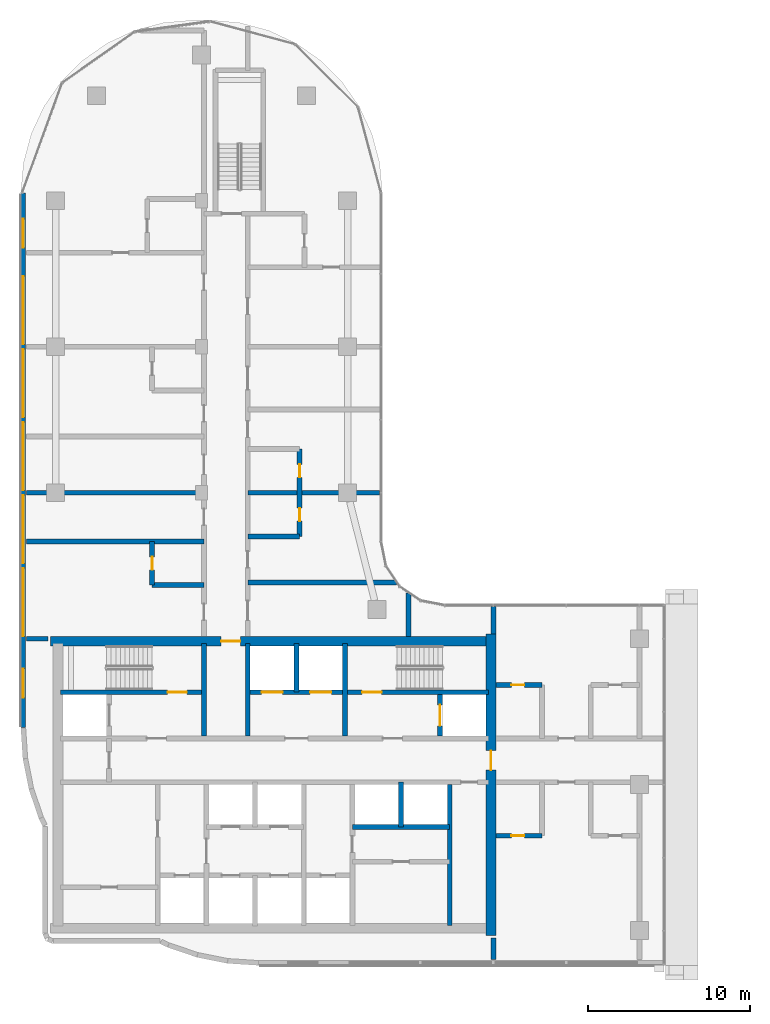
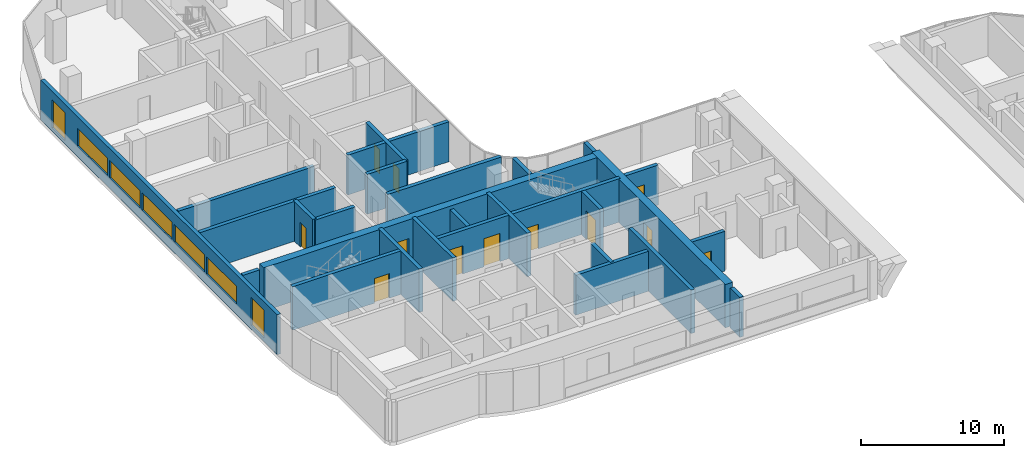
# One storey, part 11 of 23: 27 walls, 12 doors, 7 windows, 19 openings.
"""IFC4 building model written with IfcOpenShell, lengths in metres."""

from ifc_helpers import new_model, si_unit, direction, frame, frame_2d, origin, place, context, subcontext, project, spatial, rectangle, extrude, material, layer, layer_set, type_object, element, fill, save


model = new_model("IFC4")

# Units and contexts
model_context = context("Model", 3, precision=1e-05, world=origin(), true_north=direction((0.0, 1.0)))
body_context = subcontext(model_context, "Body", "Model", "MODEL_VIEW")
ifc_project = project(units=[si_unit("LENGTHUNIT", "METRE"), si_unit("AREAUNIT", "SQUARE_METRE"), si_unit("VOLUMEUNIT", "CUBIC_METRE"), si_unit("PLANEANGLEUNIT", "RADIAN"), si_unit("MASSUNIT", "GRAM", prefix="KILO")], contexts=[model_context])

# Site, building, storey
site_placement = place(None, origin())
site = spatial("IfcSite", under=ifc_project, at=site_placement, CompositionType="ELEMENT")
building_placement = place(site_placement, origin())
building = spatial("IfcBuilding", under=site, at=building_placement, Name="Ogive Portal Towers", CompositionType="ELEMENT")
storey_placement = place(building_placement, frame((0.0, 0.0, 175.5)))
storey = spatial("IfcBuildingStorey", under=building, at=storey_placement, Name="L43", CompositionType="ELEMENT", Elevation=175.5)

# Wall
ifc_material_1 = material(Name="Concrete C60/75", Category="concrete")
ifc_layer_1 = layer(ifc_material_1, 0.300048828125)
ifc_layer_set_1 = layer_set([ifc_layer_1], Name="CORE WALL 300 C60")
wall_type_1 = type_object("IfcWallType", Name="CORE WALL 300 C60", PredefinedType="SHEAR", material=ifc_layer_set_1)
wall_1_placement = place(storey_placement, frame((55.800048828125, 21.800048828125, 0.0), z_axis=(0.0, 0.0, 1.0), x_axis=(0.0, 1.0, 0.0)))
element("IfcWall", 1, at=wall_1_placement, inside=storey, type_object=wall_type_1, Name="Core wall X5 L43", PredefinedType="SHEAR", context=body_context, shape_type="SweptSolid", body=[
    extrude(rectangle(XDim=8.699951171875, YDim=0.300048828125, at=frame_2d((4.35009765625, 0.0))), origin(), (0.0, 0.0, 1.0), 3.699951171875),
])

# Wall, opening, door
wall_2_placement = place(storey_placement, frame((31.800048828125, 36.199951171875, 0.0), z_axis=(0.0, 0.0, 1.0), x_axis=(1.0, 0.0, 0.0)))
wall_2 = element("IfcWall", 2, at=wall_2_placement, inside=storey, type_object=wall_type_1, Name="Core wall Y3a L43", PredefinedType="SHEAR", context=body_context, shape_type="SweptSolid", body=[
    extrude(rectangle(XDim=8.699951171875, YDim=0.300048828125, at=frame_2d((4.35009765625, 0.0))), origin(), (0.0, 0.0, 1.0), 3.699951171875),
])
opening_1_placement = place(wall_2_placement, frame((6.60009765625, 0.0, 0.0)))
opening_1 = element("IfcOpeningElement", 3, at=opening_1_placement, cuts=wall_2, Name="Opening D18-005", PredefinedType="OPENING", context=body_context, shape_type="SweptSolid", body=[
    extrude(rectangle(XDim=1.199951171875, YDim=2.10009765625, at=frame_2d((0.60009765625, 1.050048828125))), frame((0.0, 0.16015625, 0.0), z_axis=(0.0, -1.0, 0.0), x_axis=(1.0, 0.0, 0.0)), (0.0, 0.0, 1.0), 0.320068359375),
])
ifc_material_2 = material(Name="Steel fire door", Category="steel")
door_type_1 = type_object("IfcDoorType", Name="DT-SWING-1200x2100-FD90S", OperationType="SINGLE_SWING_LEFT", PredefinedType="DOOR", material=ifc_material_2)
door_1_placement = place(opening_1_placement, origin())
door_1 = element("IfcDoor", 4, at=door_1_placement, inside=storey, type_object=door_type_1, Name="Door D18-005", OperationType="SINGLE_SWING_RIGHT", OverallHeight=2.10009765625, OverallWidth=1.199951171875, PredefinedType="DOOR", context=body_context, shape_type="SweptSolid", body=[
    extrude(rectangle(XDim=1.199951171875, YDim=2.10009765625, at=frame_2d((0.60009765625, 1.050048828125))), frame((0.0, 0.02490234375, 0.0), z_axis=(0.0, -1.0, 0.0), x_axis=(1.0, 0.0, 0.0)), (0.0, 0.0, 1.0), 0.050048828125),
])
fill(opening_1, door_1)

# Wall, openings, doors
wall_3_placement = place(storey_placement, frame((43.5, 36.199951171875, 0.0), z_axis=(0.0, 0.0, 1.0), x_axis=(1.0, 0.0, 0.0)))
wall_3 = element("IfcWall", 5, at=wall_3_placement, inside=storey, type_object=wall_type_1, Name="Core wall Y3b L43", PredefinedType="SHEAR", context=body_context, shape_type="SweptSolid", body=[
    extrude(rectangle(XDim=14.699951171875, YDim=0.300048828125, at=frame_2d((7.35009765625, 0.0))), origin(), (0.0, 0.0, 1.0), 3.699951171875),
])
opening_2_placement = place(wall_3_placement, frame((6.89990234375, 0.0, 0.0)))
opening_2 = element("IfcOpeningElement", 6, at=opening_2_placement, cuts=wall_3, Name="Opening D18-006", PredefinedType="OPENING", context=body_context, shape_type="SweptSolid", body=[
    extrude(rectangle(XDim=1.199951171875, YDim=2.10009765625, at=frame_2d((0.60009765625, 1.050048828125))), frame((0.0, 0.16015625, 0.0), z_axis=(0.0, -1.0, 0.0), x_axis=(1.0, 0.0, 0.0)), (0.0, 0.0, 1.0), 0.320068359375),
])
opening_3_placement = place(wall_3_placement, frame((0.699951171875, 0.0, 0.0)))
opening_3 = element("IfcOpeningElement", 7, at=opening_3_placement, cuts=wall_3, Name="Opening D18-016", PredefinedType="OPENING", context=body_context, shape_type="SweptSolid", body=[
    extrude(rectangle(XDim=1.300048828125, YDim=2.39990234375, at=frame_2d((0.64990234375, 1.199951171875))), frame((0.0, 0.16015625, 0.0), z_axis=(0.0, -1.0, 0.0), x_axis=(1.0, 0.0, 0.0)), (0.0, 0.0, 1.0), 0.320068359375),
])
opening_4_placement = place(wall_3_placement, frame((3.699951171875, 0.0, 0.0)))
opening_4 = element("IfcOpeningElement", 8, at=opening_4_placement, cuts=wall_3, Name="Opening D18-017", PredefinedType="OPENING", context=body_context, shape_type="SweptSolid", body=[
    extrude(rectangle(XDim=1.300048828125, YDim=2.39990234375, at=frame_2d((0.64990234375, 1.199951171875))), frame((0.0, 0.16015625, 0.0), z_axis=(0.0, -1.0, 0.0), x_axis=(1.0, 0.0, 0.0)), (0.0, 0.0, 1.0), 0.320068359375),
])
ifc_material_3 = material(Name="Stainless steel", Category="steel")
door_type_2 = type_object("IfcDoorType", Name="DT-LD-1300x2400", OperationType="SLIDING_TO_LEFT", PredefinedType="DOOR", material=ifc_material_3)
door_2_placement = place(opening_3_placement, origin())
door_2 = element("IfcDoor", 9, at=door_2_placement, inside=storey, type_object=door_type_2, Name="Door D18-016", OperationType="SLIDING_TO_LEFT", OverallHeight=2.39990234375, OverallWidth=1.300048828125, PredefinedType="DOOR", context=body_context, shape_type="SweptSolid", body=[
    extrude(rectangle(XDim=1.300048828125, YDim=2.39990234375, at=frame_2d((0.64990234375, 1.199951171875))), frame((0.0, 0.02490234375, 0.0), z_axis=(0.0, -1.0, 0.0), x_axis=(1.0, 0.0, 0.0)), (0.0, 0.0, 1.0), 0.050048828125),
])
fill(opening_3, door_2)
door_3_placement = place(opening_4_placement, origin())
door_3 = element("IfcDoor", 10, at=door_3_placement, inside=storey, type_object=door_type_2, Name="Door D18-017", OperationType="SLIDING_TO_LEFT", OverallHeight=2.39990234375, OverallWidth=1.300048828125, PredefinedType="DOOR", context=body_context, shape_type="SweptSolid", body=[
    extrude(rectangle(XDim=1.300048828125, YDim=2.39990234375, at=frame_2d((0.64990234375, 1.199951171875))), frame((0.0, 0.02490234375, 0.0), z_axis=(0.0, -1.0, 0.0), x_axis=(1.0, 0.0, 0.0)), (0.0, 0.0, 1.0), 0.050048828125),
])
fill(opening_4, door_3)
door_4_placement = place(opening_2_placement, origin())
door_4 = element("IfcDoor", 11, at=door_4_placement, inside=storey, type_object=door_type_1, Name="Door D18-006", OperationType="SINGLE_SWING_LEFT", OverallHeight=2.10009765625, OverallWidth=1.199951171875, PredefinedType="DOOR", context=body_context, shape_type="SweptSolid", body=[
    extrude(rectangle(XDim=1.199951171875, YDim=2.10009765625, at=frame_2d((0.60009765625, 1.050048828125))), frame((0.0, 0.02490234375, 0.0), z_axis=(0.0, -1.0, 0.0), x_axis=(1.0, 0.0, 0.0)), (0.0, 0.0, 1.0), 0.050048828125),
])
fill(opening_2, door_4)

# Walls
for number, where, z_axis, x_axis, name in (
    (12, (40.64990234375, 33.5, 0.0), (0.0, 0.0, 1.0), (0.0, 1.0, 0.0), "Core wall X6 L43"),
    (13, (43.35009765625, 33.5, 0.0), (0.0, 0.0, 1.0), (0.0, 1.0, 0.0), "Core wall X7 L43"),
    (14, (49.35009765625, 33.5, 0.0), (0.0, 0.0, 1.0), (0.0, 1.0, 0.0), "Core wall X9 L43"),
):
    element("IfcWall", number, at=place(storey_placement, frame(where, z_axis=z_axis, x_axis=x_axis)), inside=storey, type_object=wall_type_1, Name=name, PredefinedType="SHEAR", context=body_context, shape_type="SweptSolid", body=[
        extrude(rectangle(XDim=5.699951171875, YDim=0.300048828125, at=frame_2d((2.85009765625, 0.0))), origin(), (0.0, 0.0, 1.0), 3.699951171875),
    ])

# Wall, opening, door
wall_4_placement = place(storey_placement, frame((55.199951171875, 33.5, 0.0), z_axis=(0.0, 0.0, 1.0), x_axis=(0.0, 1.0, 0.0)))
wall_4 = element("IfcWall", 15, at=wall_4_placement, inside=storey, type_object=wall_type_1, Name="Core wall X10 L43", PredefinedType="SHEAR", context=body_context, shape_type="SweptSolid", body=[
    extrude(rectangle(XDim=2.550048828125, YDim=0.300048828125, at=frame_2d((1.27490234375, 0.0))), origin(), (0.0, 0.0, 1.0), 3.699951171875),
])
opening_5_placement = place(wall_4_placement, frame((0.625, 0.0, 0.0)))
opening_5 = element("IfcOpeningElement", 16, at=opening_5_placement, cuts=wall_4, Name="Opening D18-019", PredefinedType="OPENING", context=body_context, shape_type="SweptSolid", body=[
    extrude(rectangle(XDim=1.300048828125, YDim=2.39990234375, at=frame_2d((0.64990234375, 1.199951171875))), frame((0.0, 0.16015625, 0.0), z_axis=(0.0, -1.0, 0.0), x_axis=(1.0, 0.0, 0.0)), (0.0, 0.0, 1.0), 0.320068359375),
])
door_5_placement = place(opening_5_placement, origin())
door_5 = element("IfcDoor", 17, at=door_5_placement, inside=storey, type_object=door_type_2, Name="Door D18-019", OperationType="SLIDING_TO_LEFT", OverallHeight=2.39990234375, OverallWidth=1.300048828125, PredefinedType="DOOR", context=body_context, shape_type="SweptSolid", body=[
    extrude(rectangle(XDim=1.300048828125, YDim=2.39990234375, at=frame_2d((0.64990234375, 1.199951171875))), frame((0.0, 0.02490234375, 0.0), z_axis=(0.0, -1.0, 0.0), x_axis=(1.0, 0.0, 0.0)), (0.0, 0.0, 1.0), 0.050048828125),
])
fill(opening_5, door_5)

ifc_layer_2 = layer(ifc_material_1, 0.60009765625)
ifc_layer_set_2 = layer_set([ifc_layer_2], Name="CORE WALL 600 C60")
wall_type_2 = type_object("IfcWallType", Name="CORE WALL 600 C60", PredefinedType="SHEAR", material=ifc_layer_set_2)
wall_5_placement = place(storey_placement, frame((58.35009765625, 21.199951171875, 0.0), z_axis=(0.0, 0.0, 1.0), x_axis=(0.0, 1.0, 0.0)))
wall_5 = element("IfcWall", 18, at=wall_5_placement, inside=storey, type_object=wall_type_2, Name="Core wall E L43", PredefinedType="SHEAR", context=body_context, shape_type="SweptSolid", body=[
    extrude(rectangle(XDim=18.60009765625, YDim=0.60009765625, at=frame_2d((9.300048828125, 0.0))), origin(), (0.0, 0.0, 1.0), 3.699951171875),
])
opening_6_placement = place(wall_5_placement, frame((10.199951171875, 0.0, 0.0)))
opening_6 = element("IfcOpeningElement", 19, at=opening_6_placement, cuts=wall_5, Name="Opening D18-010", PredefinedType="OPENING", context=body_context, shape_type="SweptSolid", body=[
    extrude(rectangle(XDim=1.199951171875, YDim=2.10009765625, at=frame_2d((0.60009765625, 1.050048828125))), frame((0.0, 0.31005859375, 0.0), z_axis=(0.0, -1.0, 0.0), x_axis=(1.0, 0.0, 0.0)), (0.0, 0.0, 1.0), 0.6201171875),
])
door_6_placement = place(opening_6_placement, origin())
door_6 = element("IfcDoor", 20, at=door_6_placement, inside=storey, type_object=door_type_1, Name="Door D18-010", OperationType="SINGLE_SWING_LEFT", OverallHeight=2.10009765625, OverallWidth=1.199951171875, PredefinedType="DOOR", context=body_context, shape_type="SweptSolid", body=[
    extrude(rectangle(XDim=1.199951171875, YDim=2.10009765625, at=frame_2d((0.60009765625, 1.050048828125))), frame((0.0, 0.02490234375, 0.0), z_axis=(0.0, -1.0, 0.0), x_axis=(1.0, 0.0, 0.0)), (0.0, 0.0, 1.0), 0.050048828125),
])
fill(opening_6, door_6)

wall_6_placement = place(storey_placement, frame((31.199951171875, 39.35009765625, 0.0), z_axis=(0.0, 0.0, 1.0), x_axis=(1.0, 0.0, 0.0)))
wall_6 = element("IfcWall", 21, at=wall_6_placement, inside=storey, type_object=wall_type_2, Name="Core wall N L43", PredefinedType="SHEAR", context=body_context, shape_type="SweptSolid", body=[
    extrude(rectangle(XDim=27.0, YDim=0.60009765625, at=frame_2d((13.5, 0.0))), origin(), (0.0, 0.0, 1.0), 3.699951171875),
])
opening_7_placement = place(wall_6_placement, frame((10.5, 0.0, 0.0)))
opening_7 = element("IfcOpeningElement", 22, at=opening_7_placement, cuts=wall_6, Name="Opening D18-011", PredefinedType="OPENING", context=body_context, shape_type="SweptSolid", body=[
    extrude(rectangle(XDim=1.199951171875, YDim=2.10009765625, at=frame_2d((0.60009765625, 1.050048828125))), frame((0.0, 0.31005859375, 0.0), z_axis=(0.0, -1.0, 0.0), x_axis=(1.0, 0.0, 0.0)), (0.0, 0.0, 1.0), 0.6201171875),
])
door_7_placement = place(opening_7_placement, origin())
door_7 = element("IfcDoor", 23, at=door_7_placement, inside=storey, type_object=door_type_1, Name="Door D18-011", OperationType="SINGLE_SWING_RIGHT", OverallHeight=2.10009765625, OverallWidth=1.199951171875, PredefinedType="DOOR", context=body_context, shape_type="SweptSolid", body=[
    extrude(rectangle(XDim=1.199951171875, YDim=2.10009765625, at=frame_2d((0.60009765625, 1.050048828125))), frame((0.0, 0.02490234375, 0.0), z_axis=(0.0, -1.0, 0.0), x_axis=(1.0, 0.0, 0.0)), (0.0, 0.0, 1.0), 0.050048828125),
])
fill(opening_7, door_7)

# Wall, openings, windows
ifc_material_4 = material(Name="Limestone cladding on lightweight block wall", Category="masonry")
ifc_layer_3 = layer(ifc_material_4, 0.300048828125)
ifc_layer_set_3 = layer_set([ifc_layer_3], Name="EXTERNAL WALL 300 STONE")
wall_type_3 = type_object("IfcWallType", Name="EXTERNAL WALL 300 STONE", PredefinedType="SOLIDWALL", material=ifc_layer_set_3)
wall_7_placement = place(storey_placement, frame((29.5048828125, 66.98583984375, 0.0), z_axis=(0.0, 0.0, 1.0), x_axis=(0.0, -1.0, 0.0)))
wall_7 = element("IfcWall", 24, at=wall_7_placement, inside=storey, type_object=wall_type_3, Name="A:L43:f22:r0:wall", PredefinedType="SOLIDWALL", context=body_context, shape_type="SweptSolid", body=[
    extrude(rectangle(XDim=32.97607421875, YDim=0.300048828125, at=frame_2d((16.488037109375, 0.0))), origin(), (0.0, 0.0, 1.0), 3.39990234375),
])
opening_8_placement = place(wall_7_placement, frame((1.593017578125, 0.0, 0.300048828125)))
opening_8 = element("IfcOpeningElement", 25, at=opening_8_placement, cuts=wall_7, Name="Opening WN10", PredefinedType="OPENING", context=body_context, shape_type="SweptSolid", body=[
    extrude(rectangle(XDim=1.800048828125, YDim=2.39990234375, at=frame_2d((0.89990234375, 1.199951171875))), frame((0.0, 0.16015625, 0.0), z_axis=(0.0, -1.0, 0.0), x_axis=(1.0, 0.0, 0.0)), (0.0, 0.0, 1.0), 0.320068359375),
])
opening_9_placement = place(wall_7_placement, frame((5.135986328125, 0.0, 0.89990234375)))
opening_9 = element("IfcOpeningElement", 26, at=opening_9_placement, cuts=wall_7, Name="Opening WN11", PredefinedType="OPENING", context=body_context, shape_type="SweptSolid", body=[
    extrude(rectangle(XDim=4.199951171875, YDim=1.5, at=frame_2d((2.10009765625, 0.75))), frame((0.0, 0.16015625, 0.0), z_axis=(0.0, -1.0, 0.0), x_axis=(1.0, 0.0, 0.0)), (0.0, 0.0, 1.0), 0.320068359375),
])
opening_10_placement = place(wall_7_placement, frame((9.635986328125, 0.0, 0.89990234375)))
opening_10 = element("IfcOpeningElement", 27, at=opening_10_placement, cuts=wall_7, Name="Opening WN11", PredefinedType="OPENING", context=body_context, shape_type="SweptSolid", body=[
    extrude(rectangle(XDim=4.199951171875, YDim=1.5, at=frame_2d((2.10009765625, 0.75))), frame((0.0, 0.16015625, 0.0), z_axis=(0.0, -1.0, 0.0), x_axis=(1.0, 0.0, 0.0)), (0.0, 0.0, 1.0), 0.320068359375),
])
opening_11_placement = place(wall_7_placement, frame((14.135986328125, 0.0, 0.89990234375)))
opening_11 = element("IfcOpeningElement", 28, at=opening_11_placement, cuts=wall_7, Name="Opening WN11", PredefinedType="OPENING", context=body_context, shape_type="SweptSolid", body=[
    extrude(rectangle(XDim=4.199951171875, YDim=1.5, at=frame_2d((2.10009765625, 0.75))), frame((0.0, 0.16015625, 0.0), z_axis=(0.0, -1.0, 0.0), x_axis=(1.0, 0.0, 0.0)), (0.0, 0.0, 1.0), 0.320068359375),
])
opening_12_placement = place(wall_7_placement, frame((18.635986328125, 0.0, 0.89990234375)))
opening_12 = element("IfcOpeningElement", 29, at=opening_12_placement, cuts=wall_7, Name="Opening WN11", PredefinedType="OPENING", context=body_context, shape_type="SweptSolid", body=[
    extrude(rectangle(XDim=4.199951171875, YDim=1.5, at=frame_2d((2.10009765625, 0.75))), frame((0.0, 0.16015625, 0.0), z_axis=(0.0, -1.0, 0.0), x_axis=(1.0, 0.0, 0.0)), (0.0, 0.0, 1.0), 0.320068359375),
])
opening_13_placement = place(wall_7_placement, frame((23.135986328125, 0.0, 0.89990234375)))
opening_13 = element("IfcOpeningElement", 30, at=opening_13_placement, cuts=wall_7, Name="Opening WN11", PredefinedType="OPENING", context=body_context, shape_type="SweptSolid", body=[
    extrude(rectangle(XDim=4.199951171875, YDim=1.5, at=frame_2d((2.10009765625, 0.75))), frame((0.0, 0.16015625, 0.0), z_axis=(0.0, -1.0, 0.0), x_axis=(1.0, 0.0, 0.0)), (0.0, 0.0, 1.0), 0.320068359375),
])
opening_14_placement = place(wall_7_placement, frame((29.3310546875, 0.0, 0.300048828125)))
opening_14 = element("IfcOpeningElement", 31, at=opening_14_placement, cuts=wall_7, Name="Opening WN10", PredefinedType="OPENING", context=body_context, shape_type="SweptSolid", body=[
    extrude(rectangle(XDim=1.800048828125, YDim=2.39990234375, at=frame_2d((0.89990234375, 1.199951171875))), frame((0.0, 0.16015625, 0.0), z_axis=(0.0, -1.0, 0.0), x_axis=(1.0, 0.0, 0.0)), (0.0, 0.0, 1.0), 0.320068359375),
])
ifc_material_5 = material(Name="Glass, clear low-iron insulated glazing", Category="glass")
window_type_1 = type_object("IfcWindowType", Name="WINDOW RIBBON 4200x1500", PartitioningType="TRIPLE_PANEL_VERTICAL", PredefinedType="WINDOW", material=ifc_material_5)
window_1_placement = place(opening_9_placement, origin())
window_1 = element("IfcWindow", 32, at=window_1_placement, inside=storey, type_object=window_type_1, Name="A:L43:f22:r0:w1", OverallHeight=1.5, OverallWidth=4.199951171875, PartitioningType="SINGLE_PANEL", PredefinedType="WINDOW", context=body_context, shape_type="SweptSolid", body=[
    extrude(rectangle(XDim=4.199951171875, YDim=1.5, at=frame_2d((2.10009765625, 0.75))), frame((0.0, 0.030029296875, 0.0), z_axis=(0.0, -1.0, 0.0), x_axis=(1.0, 0.0, 0.0)), (0.0, 0.0, 1.0), 0.06005859375),
])
fill(opening_9, window_1)
window_2_placement = place(opening_10_placement, origin())
window_2 = element("IfcWindow", 33, at=window_2_placement, inside=storey, type_object=window_type_1, Name="A:L43:f22:r0:w2", OverallHeight=1.5, OverallWidth=4.199951171875, PartitioningType="SINGLE_PANEL", PredefinedType="WINDOW", context=body_context, shape_type="SweptSolid", body=[
    extrude(rectangle(XDim=4.199951171875, YDim=1.5, at=frame_2d((2.10009765625, 0.75))), frame((0.0, 0.030029296875, 0.0), z_axis=(0.0, -1.0, 0.0), x_axis=(1.0, 0.0, 0.0)), (0.0, 0.0, 1.0), 0.06005859375),
])
fill(opening_10, window_2)
window_3_placement = place(opening_11_placement, origin())
window_3 = element("IfcWindow", 34, at=window_3_placement, inside=storey, type_object=window_type_1, Name="A:L43:f22:r0:w3", OverallHeight=1.5, OverallWidth=4.199951171875, PartitioningType="SINGLE_PANEL", PredefinedType="WINDOW", context=body_context, shape_type="SweptSolid", body=[
    extrude(rectangle(XDim=4.199951171875, YDim=1.5, at=frame_2d((2.10009765625, 0.75))), frame((0.0, 0.030029296875, 0.0), z_axis=(0.0, -1.0, 0.0), x_axis=(1.0, 0.0, 0.0)), (0.0, 0.0, 1.0), 0.06005859375),
])
fill(opening_11, window_3)
window_4_placement = place(opening_12_placement, origin())
window_4 = element("IfcWindow", 35, at=window_4_placement, inside=storey, type_object=window_type_1, Name="A:L43:f22:r0:w4", OverallHeight=1.5, OverallWidth=4.199951171875, PartitioningType="SINGLE_PANEL", PredefinedType="WINDOW", context=body_context, shape_type="SweptSolid", body=[
    extrude(rectangle(XDim=4.199951171875, YDim=1.5, at=frame_2d((2.10009765625, 0.75))), frame((0.0, 0.030029296875, 0.0), z_axis=(0.0, -1.0, 0.0), x_axis=(1.0, 0.0, 0.0)), (0.0, 0.0, 1.0), 0.06005859375),
])
fill(opening_12, window_4)
window_5_placement = place(opening_13_placement, origin())
window_5 = element("IfcWindow", 36, at=window_5_placement, inside=storey, type_object=window_type_1, Name="A:L43:f22:r0:w5", OverallHeight=1.5, OverallWidth=4.199951171875, PartitioningType="SINGLE_PANEL", PredefinedType="WINDOW", context=body_context, shape_type="SweptSolid", body=[
    extrude(rectangle(XDim=4.199951171875, YDim=1.5, at=frame_2d((2.10009765625, 0.75))), frame((0.0, 0.030029296875, 0.0), z_axis=(0.0, -1.0, 0.0), x_axis=(1.0, 0.0, 0.0)), (0.0, 0.0, 1.0), 0.06005859375),
])
fill(opening_13, window_5)
window_type_2 = type_object("IfcWindowType", Name="WINDOW SUITE CORNER 1800x2400", PartitioningType="DOUBLE_PANEL_VERTICAL", PredefinedType="WINDOW", material=ifc_material_5)
window_6_placement = place(opening_8_placement, origin())
window_6 = element("IfcWindow", 37, at=window_6_placement, inside=storey, type_object=window_type_2, Name="A:L43:f22:r0:w0", OverallHeight=2.39990234375, OverallWidth=1.800048828125, PartitioningType="SINGLE_PANEL", PredefinedType="WINDOW", context=body_context, shape_type="SweptSolid", body=[
    extrude(rectangle(XDim=1.800048828125, YDim=2.39990234375, at=frame_2d((0.89990234375, 1.199951171875))), frame((0.0, 0.030029296875, 0.0), z_axis=(0.0, -1.0, 0.0), x_axis=(1.0, 0.0, 0.0)), (0.0, 0.0, 1.0), 0.06005859375),
])
fill(opening_8, window_6)
window_7_placement = place(opening_14_placement, origin())
window_7 = element("IfcWindow", 38, at=window_7_placement, inside=storey, type_object=window_type_2, Name="A:L43:f22:r0:w6", OverallHeight=2.39990234375, OverallWidth=1.800048828125, PartitioningType="SINGLE_PANEL", PredefinedType="WINDOW", context=body_context, shape_type="SweptSolid", body=[
    extrude(rectangle(XDim=1.800048828125, YDim=2.39990234375, at=frame_2d((0.89990234375, 1.199951171875))), frame((0.0, 0.030029296875, 0.0), z_axis=(0.0, -1.0, 0.0), x_axis=(1.0, 0.0, 0.0)), (0.0, 0.0, 1.0), 0.06005859375),
])
fill(opening_14, window_7)

# Wall, opening, door
ifc_material_6 = material(Name="Gypsum board partition on steel studs", Category="steel")
ifc_layer_4 = layer(ifc_material_6, 0.300048828125)
ifc_layer_set_4 = layer_set([ifc_layer_4], Name="WT-PART-300-EI 60")
wall_type_4 = type_object("IfcWallType", Name="WT-PART-300-EI 60", PredefinedType="PARTITIONING", material=ifc_layer_set_4)
wall_8_placement = place(storey_placement, frame((58.64990234375, 27.35009765625, 0.0), z_axis=(0.0, 0.0, 1.0), x_axis=(1.0, 0.0, 0.0)))
wall_8 = element("IfcWall", 39, at=wall_8_placement, inside=storey, type_object=wall_type_4, Name="Wall L43:w002", PredefinedType="PARTITIONING", context=body_context, shape_type="SweptSolid", body=[
    extrude(rectangle(XDim=2.85009765625, YDim=0.300048828125, at=frame_2d((1.425048828125, 0.0))), origin(), (0.0, 0.0, 1.0), 3.39990234375),
])
opening_15_placement = place(wall_8_placement, frame((0.949951171875, 0.0, 0.0)))
opening_15 = element("IfcOpeningElement", 40, at=opening_15_placement, cuts=wall_8, Name="Opening D18-028", PredefinedType="OPENING", context=body_context, shape_type="SweptSolid", body=[
    extrude(rectangle(XDim=0.800048828125, YDim=2.10009765625, at=frame_2d((0.39990234375, 1.050048828125))), frame((0.0, 0.16015625, 0.0), z_axis=(0.0, -1.0, 0.0), x_axis=(1.0, 0.0, 0.0)), (0.0, 0.0, 1.0), 0.320068359375),
])
door_type_3 = type_object("IfcDoorType", Name="DT-BATH-800x2100-FD60S", OperationType="SINGLE_SWING_LEFT", PredefinedType="DOOR", material=ifc_material_2)
door_8_placement = place(opening_15_placement, origin())
door_8 = element("IfcDoor", 41, at=door_8_placement, inside=storey, type_object=door_type_3, Name="Door D18-028", OperationType="SINGLE_SWING_LEFT", OverallHeight=2.10009765625, OverallWidth=0.800048828125, PredefinedType="DOOR", context=body_context, shape_type="SweptSolid", body=[
    extrude(rectangle(XDim=0.800048828125, YDim=2.10009765625, at=frame_2d((0.39990234375, 1.050048828125))), frame((0.0, 0.02490234375, 0.0), z_axis=(0.0, -1.0, 0.0), x_axis=(1.0, 0.0, 0.0)), (0.0, 0.0, 1.0), 0.050048828125),
])
fill(opening_15, door_8)

wall_9_placement = place(storey_placement, frame((58.64990234375, 36.64990234375, 0.0), z_axis=(0.0, 0.0, 1.0), x_axis=(1.0, 0.0, 0.0)))
wall_9 = element("IfcWall", 42, at=wall_9_placement, inside=storey, type_object=wall_type_4, Name="Wall L43:w010", PredefinedType="PARTITIONING", context=body_context, shape_type="SweptSolid", body=[
    extrude(rectangle(XDim=2.85009765625, YDim=0.300048828125, at=frame_2d((1.425048828125, 0.0))), origin(), (0.0, 0.0, 1.0), 3.39990234375),
])
opening_16_placement = place(wall_9_placement, frame((0.949951171875, 0.0, 0.0)))
opening_16 = element("IfcOpeningElement", 43, at=opening_16_placement, cuts=wall_9, Name="Opening D18-025", PredefinedType="OPENING", context=body_context, shape_type="SweptSolid", body=[
    extrude(rectangle(XDim=0.800048828125, YDim=2.10009765625, at=frame_2d((0.39990234375, 1.050048828125))), frame((0.0, 0.16015625, 0.0), z_axis=(0.0, -1.0, 0.0), x_axis=(1.0, 0.0, 0.0)), (0.0, 0.0, 1.0), 0.320068359375),
])
door_9_placement = place(opening_16_placement, origin())
door_9 = element("IfcDoor", 44, at=door_9_placement, inside=storey, type_object=door_type_3, Name="Door D18-025", OperationType="SINGLE_SWING_LEFT", OverallHeight=2.10009765625, OverallWidth=0.800048828125, PredefinedType="DOOR", context=body_context, shape_type="SweptSolid", body=[
    extrude(rectangle(XDim=0.800048828125, YDim=2.10009765625, at=frame_2d((0.39990234375, 1.050048828125))), frame((0.0, 0.02490234375, 0.0), z_axis=(0.0, -1.0, 0.0), x_axis=(1.0, 0.0, 0.0)), (0.0, 0.0, 1.0), 0.050048828125),
])
fill(opening_16, door_9)

# Walls
wall_10_placement = place(storey_placement, frame((29.705078125, 39.5, 0.0), z_axis=(0.0, 0.0, 1.0), x_axis=(1.0, 0.0, 0.0)))
element("IfcWall", 45, at=wall_10_placement, inside=storey, type_object=wall_type_4, Name="Wall L43:w012", PredefinedType="PARTITIONING", context=body_context, shape_type="SweptSolid", body=[
    extrude(rectangle(XDim=1.324951171875, YDim=0.300048828125, at=frame_2d((0.66259765625, 0.0))), origin(), (0.0, 0.0, 1.0), 3.39990234375),
])
wall_11_placement = place(storey_placement, frame((37.449951171875, 42.800048828125, 0.0), z_axis=(0.0, 0.0, 1.0), x_axis=(1.0, 0.0, 0.0)))
element("IfcWall", 46, at=wall_11_placement, inside=storey, type_object=wall_type_4, Name="Wall L43:w014", PredefinedType="PARTITIONING", context=body_context, shape_type="SweptSolid", body=[
    extrude(rectangle(XDim=3.199951171875, YDim=0.300048828125, at=frame_2d((1.60009765625, 0.0))), origin(), (0.0, 0.0, 1.0), 3.39990234375),
])
wall_12_placement = place(storey_placement, frame((43.35009765625, 42.969970703125, 0.0), z_axis=(0.0, 0.0, 1.0), x_axis=(1.0, 0.0, 0.0)))
element("IfcWall", 47, at=wall_12_placement, inside=storey, type_object=wall_type_4, Name="Wall L43:w015", PredefinedType="PARTITIONING", context=body_context, shape_type="SweptSolid", body=[
    extrude(rectangle(XDim=9.162841796875, YDim=0.300048828125, at=frame_2d((4.58154296875, 0.0))), origin(), (0.0, 0.0, 1.0), 3.39990234375),
])
wall_13_placement = place(storey_placement, frame((29.705078125, 45.5, 0.0), z_axis=(0.0, 0.0, 1.0), x_axis=(1.0, 0.0, 0.0)))
element("IfcWall", 48, at=wall_13_placement, inside=storey, type_object=wall_type_4, Name="Wall L43:w016", PredefinedType="PARTITIONING", context=body_context, shape_type="SweptSolid", body=[
    extrude(rectangle(XDim=10.94482421875, YDim=0.300048828125, at=frame_2d((5.472412109375, 0.0))), origin(), (0.0, 0.0, 1.0), 3.39990234375),
])
wall_14_placement = place(storey_placement, frame((43.35009765625, 45.800048828125, 0.0), z_axis=(0.0, 0.0, 1.0), x_axis=(1.0, 0.0, 0.0)))
element("IfcWall", 49, at=wall_14_placement, inside=storey, type_object=wall_type_4, Name="Wall L43:w017", PredefinedType="PARTITIONING", context=body_context, shape_type="SweptSolid", body=[
    extrude(rectangle(XDim=3.199951171875, YDim=0.300048828125, at=frame_2d((1.60009765625, 0.0))), origin(), (0.0, 0.0, 1.0), 3.39990234375),
])
wall_15_placement = place(storey_placement, frame((29.705078125, 48.5, 0.0), z_axis=(0.0, 0.0, 1.0), x_axis=(1.0, 0.0, 0.0)))
element("IfcWall", 50, at=wall_15_placement, inside=storey, type_object=wall_type_4, Name="Wall L43:w018", PredefinedType="PARTITIONING", context=body_context, shape_type="SweptSolid", body=[
    extrude(rectangle(XDim=10.94482421875, YDim=0.300048828125, at=frame_2d((5.472412109375, 0.0))), origin(), (0.0, 0.0, 1.0), 3.39990234375),
])
wall_16_placement = place(storey_placement, frame((43.35009765625, 48.5, 0.0), z_axis=(0.0, 0.0, 1.0), x_axis=(1.0, 0.0, 0.0)))
element("IfcWall", 51, at=wall_16_placement, inside=storey, type_object=wall_type_4, Name="Wall L43:w019", PredefinedType="PARTITIONING", context=body_context, shape_type="SweptSolid", body=[
    extrude(rectangle(XDim=8.125, YDim=0.300048828125, at=frame_2d((4.0625, 0.0))), origin(), (0.0, 0.0, 1.0), 3.39990234375),
])

# Wall, opening, door
wall_17_placement = place(storey_placement, frame((37.449951171875, 42.800048828125, 0.0), z_axis=(0.0, 0.0, 1.0), x_axis=(0.0, 1.0, 0.0)))
wall_17 = element("IfcWall", 52, at=wall_17_placement, inside=storey, type_object=wall_type_4, Name="Wall L43:w033", PredefinedType="PARTITIONING", context=body_context, shape_type="SweptSolid", body=[
    extrude(rectangle(XDim=2.699951171875, YDim=0.300048828125, at=frame_2d((1.35009765625, 0.0))), origin(), (0.0, 0.0, 1.0), 3.39990234375),
])
opening_17_placement = place(wall_17_placement, frame((0.949951171875, 0.0, 0.0)))
opening_17 = element("IfcOpeningElement", 53, at=opening_17_placement, cuts=wall_17, Name="Opening D18-034", PredefinedType="OPENING", context=body_context, shape_type="SweptSolid", body=[
    extrude(rectangle(XDim=0.800048828125, YDim=2.10009765625, at=frame_2d((0.39990234375, 1.050048828125))), frame((0.0, 0.16015625, 0.0), z_axis=(0.0, -1.0, 0.0), x_axis=(1.0, 0.0, 0.0)), (0.0, 0.0, 1.0), 0.320068359375),
])
door_10_placement = place(opening_17_placement, origin())
door_10 = element("IfcDoor", 54, at=door_10_placement, inside=storey, type_object=door_type_3, Name="Door D18-034", OperationType="SINGLE_SWING_RIGHT", OverallHeight=2.10009765625, OverallWidth=0.800048828125, PredefinedType="DOOR", context=body_context, shape_type="SweptSolid", body=[
    extrude(rectangle(XDim=0.800048828125, YDim=2.10009765625, at=frame_2d((0.39990234375, 1.050048828125))), frame((0.0, 0.02490234375, 0.0), z_axis=(0.0, -1.0, 0.0), x_axis=(1.0, 0.0, 0.0)), (0.0, 0.0, 1.0), 0.050048828125),
])
fill(opening_17, door_10)

# Wall, openings, doors
wall_18_placement = place(storey_placement, frame((46.550048828125, 45.800048828125, 0.0), z_axis=(0.0, 0.0, 1.0), x_axis=(0.0, 1.0, 0.0)))
wall_18 = element("IfcWall", 55, at=wall_18_placement, inside=storey, type_object=wall_type_4, Name="Wall L43:w040", PredefinedType="PARTITIONING", context=body_context, shape_type="SweptSolid", body=[
    extrude(rectangle(XDim=5.39990234375, YDim=0.300048828125, at=frame_2d((2.699951171875, 0.0))), origin(), (0.0, 0.0, 1.0), 3.39990234375),
])
opening_18_placement = place(wall_18_placement, frame((0.949951171875, 0.0, 0.0)))
opening_18 = element("IfcOpeningElement", 56, at=opening_18_placement, cuts=wall_18, Name="Opening D18-032", PredefinedType="OPENING", context=body_context, shape_type="SweptSolid", body=[
    extrude(rectangle(XDim=0.800048828125, YDim=2.10009765625, at=frame_2d((0.39990234375, 1.050048828125))), frame((0.0, 0.16015625, 0.0), z_axis=(0.0, -1.0, 0.0), x_axis=(1.0, 0.0, 0.0)), (0.0, 0.0, 1.0), 0.320068359375),
])
opening_19_placement = place(wall_18_placement, frame((3.64990234375, 0.0, 0.0)))
opening_19 = element("IfcOpeningElement", 57, at=opening_19_placement, cuts=wall_18, Name="Opening D18-037", PredefinedType="OPENING", context=body_context, shape_type="SweptSolid", body=[
    extrude(rectangle(XDim=0.800048828125, YDim=2.10009765625, at=frame_2d((0.39990234375, 1.050048828125))), frame((0.0, 0.16015625, 0.0), z_axis=(0.0, -1.0, 0.0), x_axis=(1.0, 0.0, 0.0)), (0.0, 0.0, 1.0), 0.320068359375),
])
door_11_placement = place(opening_18_placement, origin())
door_11 = element("IfcDoor", 58, at=door_11_placement, inside=storey, type_object=door_type_3, Name="Door D18-032", OperationType="SINGLE_SWING_LEFT", OverallHeight=2.10009765625, OverallWidth=0.800048828125, PredefinedType="DOOR", context=body_context, shape_type="SweptSolid", body=[
    extrude(rectangle(XDim=0.800048828125, YDim=2.10009765625, at=frame_2d((0.39990234375, 1.050048828125))), frame((0.0, 0.02490234375, 0.0), z_axis=(0.0, -1.0, 0.0), x_axis=(1.0, 0.0, 0.0)), (0.0, 0.0, 1.0), 0.050048828125),
])
fill(opening_18, door_11)
door_12_placement = place(opening_19_placement, origin())
door_12 = element("IfcDoor", 59, at=door_12_placement, inside=storey, type_object=door_type_3, Name="Door D18-037", OperationType="SINGLE_SWING_RIGHT", OverallHeight=2.10009765625, OverallWidth=0.800048828125, PredefinedType="DOOR", context=body_context, shape_type="SweptSolid", body=[
    extrude(rectangle(XDim=0.800048828125, YDim=2.10009765625, at=frame_2d((0.39990234375, 1.050048828125))), frame((0.0, 0.02490234375, 0.0), z_axis=(0.0, -1.0, 0.0), x_axis=(1.0, 0.0, 0.0)), (0.0, 0.0, 1.0), 0.050048828125),
])
fill(opening_19, door_12)

# Walls
wall_19_placement = place(storey_placement, frame((53.25, 39.64990234375, 0.0), z_axis=(0.0, 0.0, 1.0), x_axis=(0.0, 1.0, 0.0)))
element("IfcWall", 60, at=wall_19_placement, inside=storey, type_object=wall_type_4, Name="Wall L43:w042", PredefinedType="PARTITIONING", context=body_context, shape_type="SweptSolid", body=[
    extrude(rectangle(XDim=2.676025390625, YDim=0.300048828125, at=frame_2d((1.337890625, 0.0))), origin(), (0.0, 0.0, 1.0), 3.39990234375),
])
wall_20_placement = place(storey_placement, frame((58.5, 19.705078125, 0.0), z_axis=(0.0, 0.0, 1.0), x_axis=(0.0, 1.0, 0.0)))
element("IfcWall", 61, at=wall_20_placement, inside=storey, type_object=wall_type_4, Name="Wall L43:w043", PredefinedType="PARTITIONING", context=body_context, shape_type="SweptSolid", body=[
    extrude(rectangle(XDim=1.324951171875, YDim=0.300048828125, at=frame_2d((0.66259765625, 0.0))), origin(), (0.0, 0.0, 1.0), 3.39990234375),
])
wall_21_placement = place(storey_placement, frame((58.5, 39.7900390625, 0.0), z_axis=(0.0, 0.0, 1.0), x_axis=(0.0, 1.0, 0.0)))
element("IfcWall", 62, at=wall_21_placement, inside=storey, type_object=wall_type_4, Name="Wall L43:w044", PredefinedType="PARTITIONING", context=body_context, shape_type="SweptSolid", body=[
    extrude(rectangle(XDim=1.68505859375, YDim=0.300048828125, at=frame_2d((0.842529296875, 0.0))), origin(), (0.0, 0.0, 1.0), 3.39990234375),
])
ifc_material_7 = material(Name="Concrete C40/50", Category="concrete")
ifc_layer_5 = layer(ifc_material_7, 0.300048828125)
ifc_layer_set_5 = layer_set([ifc_layer_5], Name="WT-SHAFT-300")
wall_type_5 = type_object("IfcWallType", Name="WT-SHAFT-300", PredefinedType="SOLIDWALL", material=ifc_layer_set_5)
wall_22_placement = place(storey_placement, frame((49.800048828125, 27.89990234375, 0.0), z_axis=(0.0, 0.0, 1.0), x_axis=(1.0, 0.0, 0.0)))
element("IfcWall", 63, at=wall_22_placement, inside=storey, type_object=wall_type_5, Name="Wall pw:005:L43", PredefinedType="SOLIDWALL", context=body_context, shape_type="SweptSolid", body=[
    extrude(rectangle(XDim=6.0, YDim=0.300048828125, at=frame_2d((3.0, 0.0))), origin(), (0.0, 0.0, 1.0), 3.39990234375),
])
wall_23_placement = place(storey_placement, frame((46.35009765625, 36.199951171875, 0.0), z_axis=(0.0, 0.0, 1.0), x_axis=(0.0, 1.0, 0.0)))
element("IfcWall", 64, at=wall_23_placement, inside=storey, type_object=wall_type_5, Name="Wall pw:009:L43", PredefinedType="SOLIDWALL", context=body_context, shape_type="SweptSolid", body=[
    extrude(rectangle(XDim=3.0, YDim=0.300048828125, at=frame_2d((1.5, 0.0))), origin(), (0.0, 0.0, 1.0), 3.39990234375),
])
wall_24_placement = place(storey_placement, frame((52.800048828125, 27.89990234375, 0.0), z_axis=(0.0, 0.0, 1.0), x_axis=(0.0, 1.0, 0.0)))
element("IfcWall", 65, at=wall_24_placement, inside=storey, type_object=wall_type_5, Name="Wall pw:010:L43", PredefinedType="SOLIDWALL", context=body_context, shape_type="SweptSolid", body=[
    extrude(rectangle(XDim=2.75, YDim=0.300048828125, at=frame_2d((1.375, 0.0))), origin(), (0.0, 0.0, 1.0), 3.39990234375),
])

save(model, "model.ifc")
